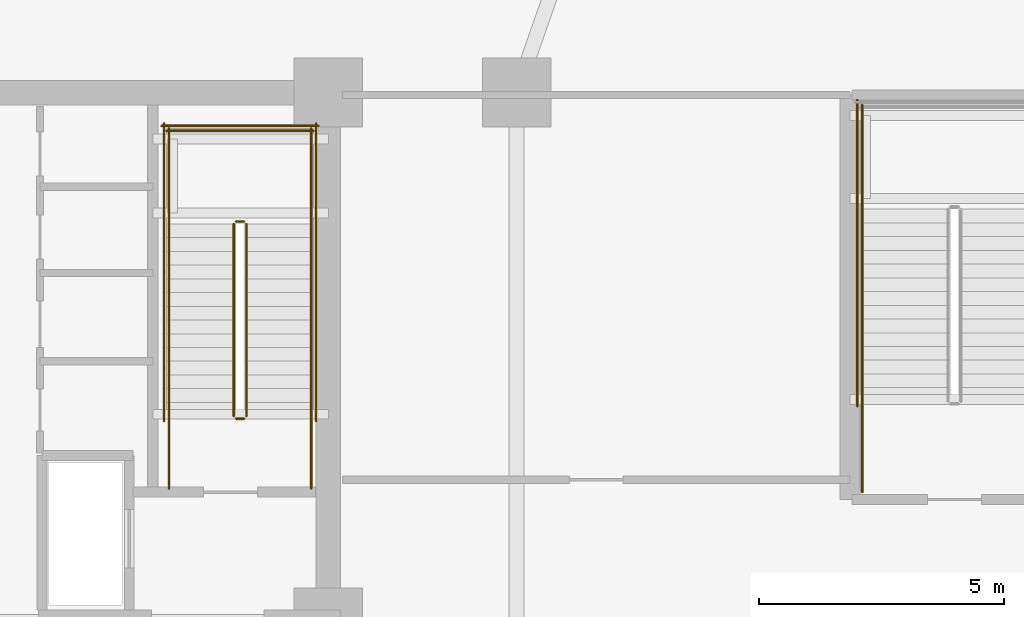
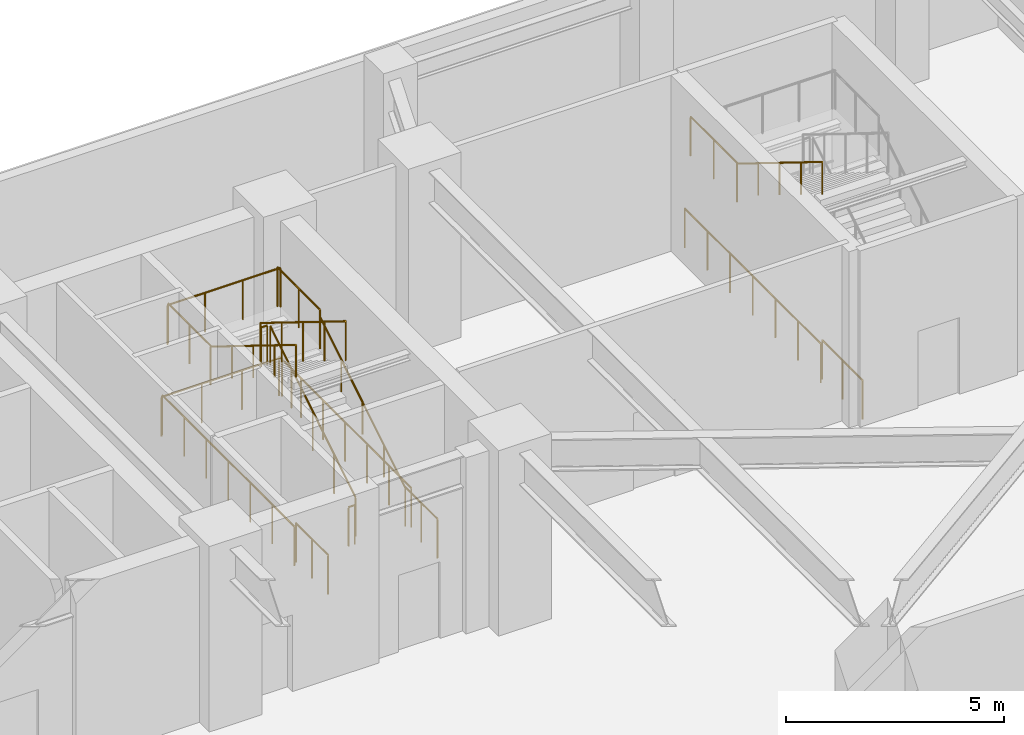
# One storey, part 13 of 15: 18 railings.
"""IFC4 building model written with IfcOpenShell, lengths in metres."""

from ifc_helpers import new_model, si_unit, direction, frame, origin, origin_2d, place, context, subcontext, project, spatial, circle, extrude, material, layer, layer_set, type_object, element, save


model = new_model("IFC4")

# Units and contexts
model_context = context("Model", 3, precision=1e-05, world=origin(), true_north=direction((0.0, 1.0)))
body_context = subcontext(model_context, "Body", "Model", "MODEL_VIEW")
ifc_project = project(units=[si_unit("LENGTHUNIT", "METRE"), si_unit("AREAUNIT", "SQUARE_METRE"), si_unit("VOLUMEUNIT", "CUBIC_METRE"), si_unit("PLANEANGLEUNIT", "RADIAN"), si_unit("MASSUNIT", "GRAM", prefix="KILO")], contexts=[model_context])

# Site, building, storey
site_placement = place(None, origin())
site = spatial("IfcSite", under=ifc_project, at=site_placement, CompositionType="ELEMENT")
building_placement = place(site_placement, origin())
building = spatial("IfcBuilding", under=site, at=building_placement, Name="Yelkora Congress Tower", CompositionType="ELEMENT")
storey_placement = place(building_placement, frame((0.0, 0.0, 10.39990234375)))
storey = spatial("IfcBuildingStorey", under=building, at=storey_placement, Name="L02", CompositionType="ELEMENT", Elevation=10.39990234375)

# Railings
ifc_material_1 = material(Name="Painted galvanised steel stair well guard with vertical infill", Category="steel")
ifc_layer_1 = layer(ifc_material_1, 0.06005859375)
ifc_layer_set_1 = layer_set([ifc_layer_1], Name="Painted galvanised steel stair well guard with vertical infill")
railing_type_1 = type_object("IfcRailingType", Name="RAIL-STAIR-GUARD-1120", PredefinedType="GUARDRAIL", material=ifc_layer_set_1)
railing_1_placement = place(storey_placement, frame((52.090087890625, 39.60009765625, 0.17333984375)))
element("IfcRailing", 1, at=railing_1_placement, inside=storey, type_object=railing_type_1, Name="ST-02 L02 Stair Well Guardrail 1", PredefinedType="GUARDRAIL", context=body_context, shape_type="SweptSolid", body=[
    extrude(circle(Radius=0.02392578125, at=origin_2d()), frame((0.0, 0.0, 1.09619140625), z_axis=(0.0, 0.850251603719, 0.526376491091), x_axis=(-1.0, 0.0, 0.0)), (0.0, 0.0, 1.0), 4.6103515625),
    extrude(circle(Radius=0.02099609375, at=origin_2d()), origin(), (0.0, 0.0, 1.0), 1.072021484375),
    extrude(circle(Radius=0.02099609375, at=origin_2d()), frame((0.0, 0.97998046875, 0.606689453125)), (0.0, 0.0, 1.0), 1.072021484375),
    extrude(circle(Radius=0.02099609375, at=origin_2d()), frame((0.0, 1.9599609375, 1.21337890625)), (0.0, 0.0, 1.0), 1.072021484375),
    extrude(circle(Radius=0.02099609375, at=origin_2d()), frame((0.0, 2.93994140625, 1.820068359375)), (0.0, 0.0, 1.0), 1.072021484375),
    extrude(circle(Radius=0.02099609375, at=origin_2d()), frame((0.0, 3.919921875, 2.4267578125)), (0.0, 0.0, 1.0), 1.072021484375),
])
railing_2_placement = place(storey_placement, frame((52.0400390625, 43.570068359375, 2.60009765625)))
element("IfcRailing", 2, at=railing_2_placement, inside=storey, type_object=railing_type_1, Name="ST-02 L02 Stair Well Guardrail 2", PredefinedType="GUARDRAIL", context=body_context, shape_type="SweptSolid", body=[
    extrude(circle(Radius=0.02392578125, at=origin_2d()), frame((0.0, 0.0, 1.09619140625), z_axis=(-1.0, 0.0, 0.0), x_axis=(0.0, -1.0, 0.0)), (0.0, 0.0, 1.0), 0.16015625),
    extrude(circle(Radius=0.02099609375, at=origin_2d()), origin(), (0.0, 0.0, 1.0), 1.072021484375),
    extrude(circle(Radius=0.02099609375, at=origin_2d()), frame((-0.16015625, 0.0, 0.0)), (0.0, 0.0, 1.0), 1.072021484375),
])
for number, where, name in (
    (3, (53.409912109375, 43.52001953125, 2.60009765625), "ST-02 L02 Stair Well Guardrail 3"),
    (4, (50.510009765625, 43.52001953125, 2.60009765625), "ST-02 L02 Stair Well Guardrail 4"),
):
    element("IfcRailing", number, at=place(storey_placement, frame(where)), inside=storey, type_object=railing_type_1, Name=name, PredefinedType="GUARDRAIL", context=body_context, shape_type="SweptSolid", body=[
        extrude(circle(Radius=0.02392578125, at=origin_2d()), frame((0.0, 0.0, 1.09619140625), z_axis=(0.0, 1.0, 0.0), x_axis=(-1.0, 0.0, 0.0)), (0.0, 0.0, 1.0), 1.949951171875),
        extrude(circle(Radius=0.02099609375, at=origin_2d()), origin(), (0.0, 0.0, 1.0), 1.072021484375),
        extrude(circle(Radius=0.02099609375, at=origin_2d()), frame((0.0, 0.97509765625, 0.0)), (0.0, 0.0, 1.0), 1.072021484375),
        extrude(circle(Radius=0.02099609375, at=origin_2d()), frame((0.0, 1.949951171875, 0.0)), (0.0, 0.0, 1.0), 1.072021484375),
    ])
railing_3_placement = place(storey_placement, frame((53.4599609375, 45.419921875, 2.60009765625)))
element("IfcRailing", 5, at=railing_3_placement, inside=storey, type_object=railing_type_1, Name="ST-02 L02 Stair Well Guardrail 5", PredefinedType="GUARDRAIL", context=body_context, shape_type="SweptSolid", body=[
    extrude(circle(Radius=0.02392578125, at=origin_2d()), frame((0.0, 0.0, 1.09619140625), z_axis=(-1.0, 0.0, 0.0), x_axis=(0.0, -1.0, 0.0)), (0.0, 0.0, 1.0), 3.0),
    extrude(circle(Radius=0.02099609375, at=origin_2d()), origin(), (0.0, 0.0, 1.0), 1.072021484375),
    extrude(circle(Radius=0.02099609375, at=origin_2d()), frame((-1.0, 0.0, 0.0)), (0.0, 0.0, 1.0), 1.072021484375),
    extrude(circle(Radius=0.02099609375, at=origin_2d()), frame((-2.0, 0.0, 0.0)), (0.0, 0.0, 1.0), 1.072021484375),
    extrude(circle(Radius=0.02099609375, at=origin_2d()), frame((-3.0, 0.0, 0.0)), (0.0, 0.0, 1.0), 1.072021484375),
])
railing_4_placement = place(storey_placement, frame((51.830078125, 43.52001953125, 2.7734375)))
element("IfcRailing", 6, at=railing_4_placement, inside=storey, type_object=railing_type_1, Name="ST-02 L02 Stair Well Guardrail 6", PredefinedType="GUARDRAIL", context=body_context, shape_type="SweptSolid", body=[
    extrude(circle(Radius=0.02392578125, at=origin_2d()), frame((0.0, 0.0, 1.09619140625), z_axis=(0.0, -0.850251603719, 0.526376491091), x_axis=(1.0, 0.0, 0.0)), (0.0, 0.0, 1.0), 4.6103515625),
    extrude(circle(Radius=0.02099609375, at=origin_2d()), origin(), (0.0, 0.0, 1.0), 1.072021484375),
    extrude(circle(Radius=0.02099609375, at=origin_2d()), frame((0.0, -0.97998046875, 0.606689453125)), (0.0, 0.0, 1.0), 1.072021484375),
    extrude(circle(Radius=0.02099609375, at=origin_2d()), frame((0.0, -1.9599609375, 1.21337890625)), (0.0, 0.0, 1.0), 1.072021484375),
    extrude(circle(Radius=0.02099609375, at=origin_2d()), frame((0.0, -2.93994140625, 1.820068359375)), (0.0, 0.0, 1.0), 1.072021484375),
    extrude(circle(Radius=0.02099609375, at=origin_2d()), frame((0.0, -3.919921875, 2.4267578125)), (0.0, 0.0, 1.0), 1.072021484375),
])
railing_5_placement = place(storey_placement, frame((52.0400390625, 39.550048828125, 0.0)))
element("IfcRailing", 7, at=railing_5_placement, inside=storey, type_object=railing_type_1, Name="ST-02 L02 Stair Well Guardrail 7", PredefinedType="GUARDRAIL", context=body_context, shape_type="SweptSolid", body=[
    extrude(circle(Radius=0.02392578125, at=origin_2d()), frame((0.0, 0.0, 1.09619140625), z_axis=(-1.0, 0.0, 0.0), x_axis=(0.0, -1.0, 0.0)), (0.0, 0.0, 1.0), 0.16015625),
    extrude(circle(Radius=0.02099609375, at=origin_2d()), origin(), (0.0, 0.0, 1.0), 1.072021484375),
    extrude(circle(Radius=0.02099609375, at=origin_2d()), frame((-0.16015625, 0.0, 0.0)), (0.0, 0.0, 1.0), 1.072021484375),
])
for number, where, name in (
    (8, (53.409912109375, 38.1201171875, 0.0), "ST-02 L02 Stair Well Guardrail 8"),
    (9, (50.510009765625, 38.1201171875, 0.0), "ST-02 L02 Stair Well Guardrail 9"),
):
    element("IfcRailing", number, at=place(storey_placement, frame(where)), inside=storey, type_object=railing_type_1, Name=name, PredefinedType="GUARDRAIL", context=body_context, shape_type="SweptSolid", body=[
        extrude(circle(Radius=0.02392578125, at=origin_2d()), frame((0.0, 0.0, 1.09619140625), z_axis=(0.0, 1.0, 0.0), x_axis=(-1.0, 0.0, 0.0)), (0.0, 0.0, 1.0), 1.47998046875),
        extrude(circle(Radius=0.02099609375, at=origin_2d()), origin(), (0.0, 0.0, 1.0), 1.072021484375),
        extrude(circle(Radius=0.02099609375, at=origin_2d()), frame((0.0, 0.739990234375, 0.0)), (0.0, 0.0, 1.0), 1.072021484375),
        extrude(circle(Radius=0.02099609375, at=origin_2d()), frame((0.0, 1.47998046875, 0.0)), (0.0, 0.0, 1.0), 1.072021484375),
    ])
for number, where, name in (
    (10, (53.510009765625, 39.5, 0.0), "ST-02 L02 Stair Well Guardrail 10"),
    (11, (50.409912109375, 39.5, 0.0), "ST-02 L02 Stair Well Guardrail 11"),
):
    element("IfcRailing", number, at=place(storey_placement, frame(where)), inside=storey, type_object=railing_type_1, Name=name, PredefinedType="GUARDRAIL", context=body_context, shape_type="SweptSolid", body=[
        extrude(circle(Radius=0.02392578125, at=origin_2d()), frame((0.0, 0.0, 1.09619140625), z_axis=(0.0, 1.0, 0.0), x_axis=(-1.0, 0.0, 0.0)), (0.0, 0.0, 1.0), 6.070068359375),
        extrude(circle(Radius=0.02099609375, at=origin_2d()), origin(), (0.0, 0.0, 1.0), 1.072021484375),
        extrude(circle(Radius=0.02099609375, at=origin_2d()), frame((0.0, 1.01171875, 0.0)), (0.0, 0.0, 1.0), 1.072021484375),
        extrude(circle(Radius=0.02099609375, at=origin_2d()), frame((0.0, 2.0234375, 0.0)), (0.0, 0.0, 1.0), 1.072021484375),
        extrude(circle(Radius=0.02099609375, at=origin_2d()), frame((0.0, 3.03515625, 0.0)), (0.0, 0.0, 1.0), 1.072021484375),
        extrude(circle(Radius=0.02099609375, at=origin_2d()), frame((0.0, 4.046630859375, 0.0)), (0.0, 0.0, 1.0), 1.072021484375),
        extrude(circle(Radius=0.02099609375, at=origin_2d()), frame((0.0, 5.058349609375, 0.0)), (0.0, 0.0, 1.0), 1.072021484375),
        extrude(circle(Radius=0.02099609375, at=origin_2d()), frame((0.0, 6.070068359375, 0.0)), (0.0, 0.0, 1.0), 1.072021484375),
    ])
railing_6_placement = place(storey_placement, frame((53.56005859375, 45.52001953125, 0.0)))
element("IfcRailing", 12, at=railing_6_placement, inside=storey, type_object=railing_type_1, Name="ST-02 L02 Stair Well Guardrail 12", PredefinedType="GUARDRAIL", context=body_context, shape_type="SweptSolid", body=[
    extrude(circle(Radius=0.02392578125, at=origin_2d()), frame((0.0, 0.0, 1.09619140625), z_axis=(-1.0, 0.0, 0.0), x_axis=(0.0, -1.0, 0.0)), (0.0, 0.0, 1.0), 3.199951171875),
    extrude(circle(Radius=0.02099609375, at=origin_2d()), origin(), (0.0, 0.0, 1.0), 1.072021484375),
    extrude(circle(Radius=0.02099609375, at=origin_2d()), frame((-1.066650390625, 0.0, 0.0)), (0.0, 0.0, 1.0), 1.072021484375),
    extrude(circle(Radius=0.02099609375, at=origin_2d()), frame((-2.13330078125, 0.0, 0.0)), (0.0, 0.0, 1.0), 1.072021484375),
    extrude(circle(Radius=0.02099609375, at=origin_2d()), frame((-3.199951171875, 0.0, 0.0)), (0.0, 0.0, 1.0), 1.072021484375),
])
railing_7_placement = place(storey_placement, frame((64.64990234375, 43.820068359375, 2.60009765625)))
element("IfcRailing", 13, at=railing_7_placement, inside=storey, type_object=railing_type_1, Name="ST-P2 L02 Stair Well Guardrail 4", PredefinedType="GUARDRAIL", context=body_context, shape_type="SweptSolid", body=[
    extrude(circle(Radius=0.02392578125, at=origin_2d()), frame((0.0, 0.0, 1.09619140625), z_axis=(0.0, 1.0, 0.0), x_axis=(-1.0, 0.0, 0.0)), (0.0, 0.0, 1.0), 2.1298828125),
    extrude(circle(Radius=0.02099609375, at=origin_2d()), origin(), (0.0, 0.0, 1.0), 1.072021484375),
    extrude(circle(Radius=0.02099609375, at=origin_2d()), frame((0.0, 1.06494140625, 0.0)), (0.0, 0.0, 1.0), 1.072021484375),
    extrude(circle(Radius=0.02099609375, at=origin_2d()), frame((0.0, 2.1298828125, 0.0)), (0.0, 0.0, 1.0), 1.072021484375),
])
railing_8_placement = place(storey_placement, frame((64.64990234375, 38.050048828125, 0.0)))
element("IfcRailing", 14, at=railing_8_placement, inside=storey, type_object=railing_type_1, Name="ST-P2 L02 Stair Well Guardrail 9", PredefinedType="GUARDRAIL", context=body_context, shape_type="SweptSolid", body=[
    extrude(circle(Radius=0.02392578125, at=origin_2d()), frame((0.0, 0.0, 1.09619140625), z_axis=(0.0, 1.0, 0.0), x_axis=(-1.0, 0.0, 0.0)), (0.0, 0.0, 1.0), 1.849853515625),
    extrude(circle(Radius=0.02099609375, at=origin_2d()), origin(), (0.0, 0.0, 1.0), 1.072021484375),
    extrude(circle(Radius=0.02099609375, at=origin_2d()), frame((0.0, 0.9248046875, 0.0)), (0.0, 0.0, 1.0), 1.072021484375),
    extrude(circle(Radius=0.02099609375, at=origin_2d()), frame((0.0, 1.849853515625, 0.0)), (0.0, 0.0, 1.0), 1.072021484375),
])
railing_9_placement = place(storey_placement, frame((64.550048828125, 39.800048828125, 0.0)))
element("IfcRailing", 15, at=railing_9_placement, inside=storey, type_object=railing_type_1, Name="ST-P2 L02 Stair Well Guardrail 11", PredefinedType="GUARDRAIL", context=body_context, shape_type="SweptSolid", body=[
    extrude(circle(Radius=0.02392578125, at=origin_2d()), frame((0.0, 0.0, 1.09619140625), z_axis=(0.0, 1.0, 0.0), x_axis=(-1.0, 0.0, 0.0)), (0.0, 0.0, 1.0), 6.25),
    extrude(circle(Radius=0.02099609375, at=origin_2d()), origin(), (0.0, 0.0, 1.0), 1.072021484375),
    extrude(circle(Radius=0.02099609375, at=origin_2d()), frame((0.0, 1.041748046875, 0.0)), (0.0, 0.0, 1.0), 1.072021484375),
    extrude(circle(Radius=0.02099609375, at=origin_2d()), frame((0.0, 2.083251953125, 0.0)), (0.0, 0.0, 1.0), 1.072021484375),
    extrude(circle(Radius=0.02099609375, at=origin_2d()), frame((0.0, 3.125, 0.0)), (0.0, 0.0, 1.0), 1.072021484375),
    extrude(circle(Radius=0.02099609375, at=origin_2d()), frame((0.0, 4.166748046875, 0.0)), (0.0, 0.0, 1.0), 1.072021484375),
    extrude(circle(Radius=0.02099609375, at=origin_2d()), frame((0.0, 5.208251953125, 0.0)), (0.0, 0.0, 1.0), 1.072021484375),
    extrude(circle(Radius=0.02099609375, at=origin_2d()), frame((0.0, 6.25, 0.0)), (0.0, 0.0, 1.0), 1.072021484375),
])
ifc_material_2 = material(Name="Brushed stainless steel tubular handrail", Category="steel")
ifc_layer_2 = layer(ifc_material_2, 0.050048828125)
ifc_layer_set_2 = layer_set([ifc_layer_2], Name="Brushed stainless steel tubular handrail")
railing_type_2 = type_object("IfcRailingType", Name="RAIL-STAIR-HAND-920", PredefinedType="HANDRAIL", material=ifc_layer_set_2)
railing_10_placement = place(storey_placement, frame((53.409912109375, 39.60009765625, 0.17333984375)))
element("IfcRailing", 16, at=railing_10_placement, inside=storey, type_object=railing_type_2, Name="ST-02 L02 Pitch Handrail 1", PredefinedType="HANDRAIL", context=body_context, shape_type="SweptSolid", body=[
    extrude(circle(Radius=0.02392578125, at=origin_2d()), frame((0.0, 0.0, 0.89599609375), z_axis=(0.0, 0.850251603719, 0.526376491091), x_axis=(-1.0, 0.0, 0.0)), (0.0, 0.0, 1.0), 4.6103515625),
    extrude(circle(Radius=0.02099609375, at=origin_2d()), origin(), (0.0, 0.0, 1.0), 0.871826171875),
    extrude(circle(Radius=0.02099609375, at=origin_2d()), frame((0.0, 0.97998046875, 0.606689453125)), (0.0, 0.0, 1.0), 0.871826171875),
    extrude(circle(Radius=0.02099609375, at=origin_2d()), frame((0.0, 1.9599609375, 1.21337890625)), (0.0, 0.0, 1.0), 0.871826171875),
    extrude(circle(Radius=0.02099609375, at=origin_2d()), frame((0.0, 2.93994140625, 1.820068359375)), (0.0, 0.0, 1.0), 0.871826171875),
    extrude(circle(Radius=0.02099609375, at=origin_2d()), frame((0.0, 3.919921875, 2.4267578125)), (0.0, 0.0, 1.0), 0.871826171875),
])
railing_11_placement = place(storey_placement, frame((50.510009765625, 43.52001953125, 2.7734375)))
element("IfcRailing", 17, at=railing_11_placement, inside=storey, type_object=railing_type_2, Name="ST-02 L02 Pitch Handrail 2", PredefinedType="HANDRAIL", context=body_context, shape_type="SweptSolid", body=[
    extrude(circle(Radius=0.02392578125, at=origin_2d()), frame((0.0, 0.0, 0.89599609375), z_axis=(0.0, -0.850251603719, 0.526376491091), x_axis=(1.0, 0.0, 0.0)), (0.0, 0.0, 1.0), 4.6103515625),
    extrude(circle(Radius=0.02099609375, at=origin_2d()), origin(), (0.0, 0.0, 1.0), 0.871826171875),
    extrude(circle(Radius=0.02099609375, at=origin_2d()), frame((0.0, -0.97998046875, 0.606689453125)), (0.0, 0.0, 1.0), 0.871826171875),
    extrude(circle(Radius=0.02099609375, at=origin_2d()), frame((0.0, -1.9599609375, 1.21337890625)), (0.0, 0.0, 1.0), 0.871826171875),
    extrude(circle(Radius=0.02099609375, at=origin_2d()), frame((0.0, -2.93994140625, 1.820068359375)), (0.0, 0.0, 1.0), 0.871826171875),
    extrude(circle(Radius=0.02099609375, at=origin_2d()), frame((0.0, -3.919921875, 2.4267578125)), (0.0, 0.0, 1.0), 0.871826171875),
])
railing_12_placement = place(storey_placement, frame((64.64990234375, 43.820068359375, 2.7734375)))
element("IfcRailing", 18, at=railing_12_placement, inside=storey, type_object=railing_type_2, Name="ST-P2 L02 Pitch Handrail 2", PredefinedType="HANDRAIL", context=body_context, shape_type="SweptSolid", body=[
    extrude(circle(Radius=0.02392578125, at=origin_2d()), frame((0.0, 0.0, 0.89599609375), z_axis=(0.0, -0.850266275192, 0.526352791643), x_axis=(1.0, 0.0, 0.0)), (0.0, 0.0, 1.0), 4.610595703125),
    extrude(circle(Radius=0.02099609375, at=origin_2d()), origin(), (0.0, 0.0, 1.0), 0.871826171875),
    extrude(circle(Radius=0.02099609375, at=origin_2d()), frame((0.0, -0.97998046875, 0.606689453125)), (0.0, 0.0, 1.0), 0.871826171875),
    extrude(circle(Radius=0.02099609375, at=origin_2d()), frame((0.0, -1.9599609375, 1.21337890625)), (0.0, 0.0, 1.0), 0.871826171875),
    extrude(circle(Radius=0.02099609375, at=origin_2d()), frame((0.0, -2.940185546875, 1.820068359375)), (0.0, 0.0, 1.0), 0.871826171875),
    extrude(circle(Radius=0.02099609375, at=origin_2d()), frame((0.0, -3.920166015625, 2.4267578125)), (0.0, 0.0, 1.0), 0.871826171875),
])

save(model, "model.ifc")
